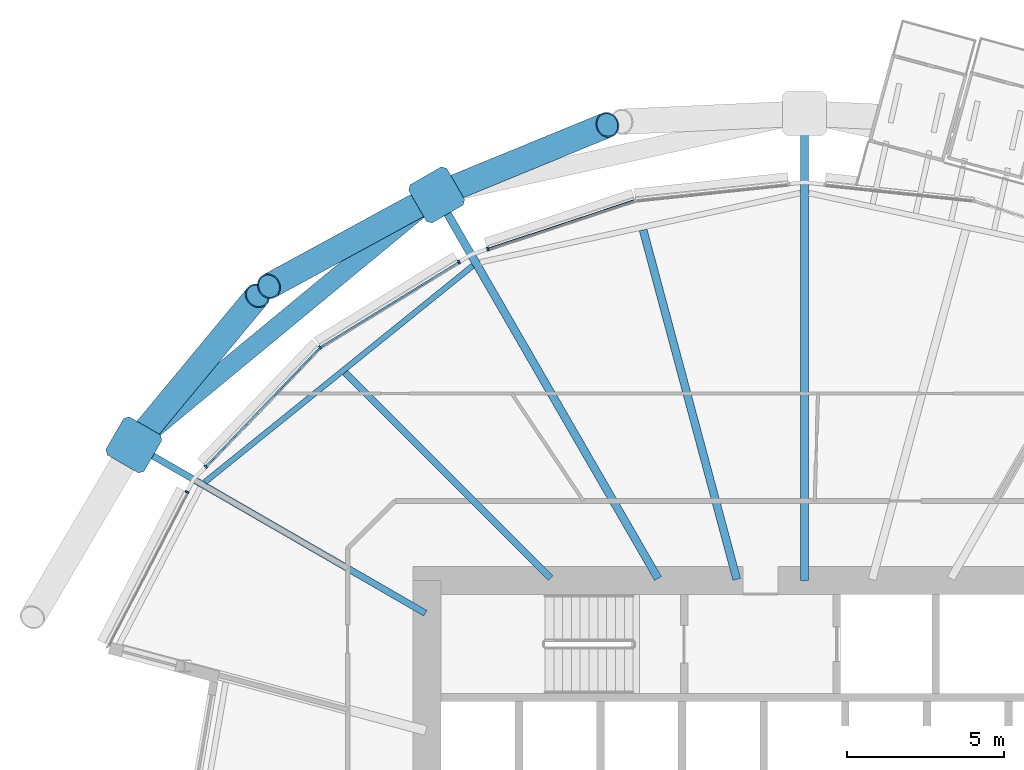
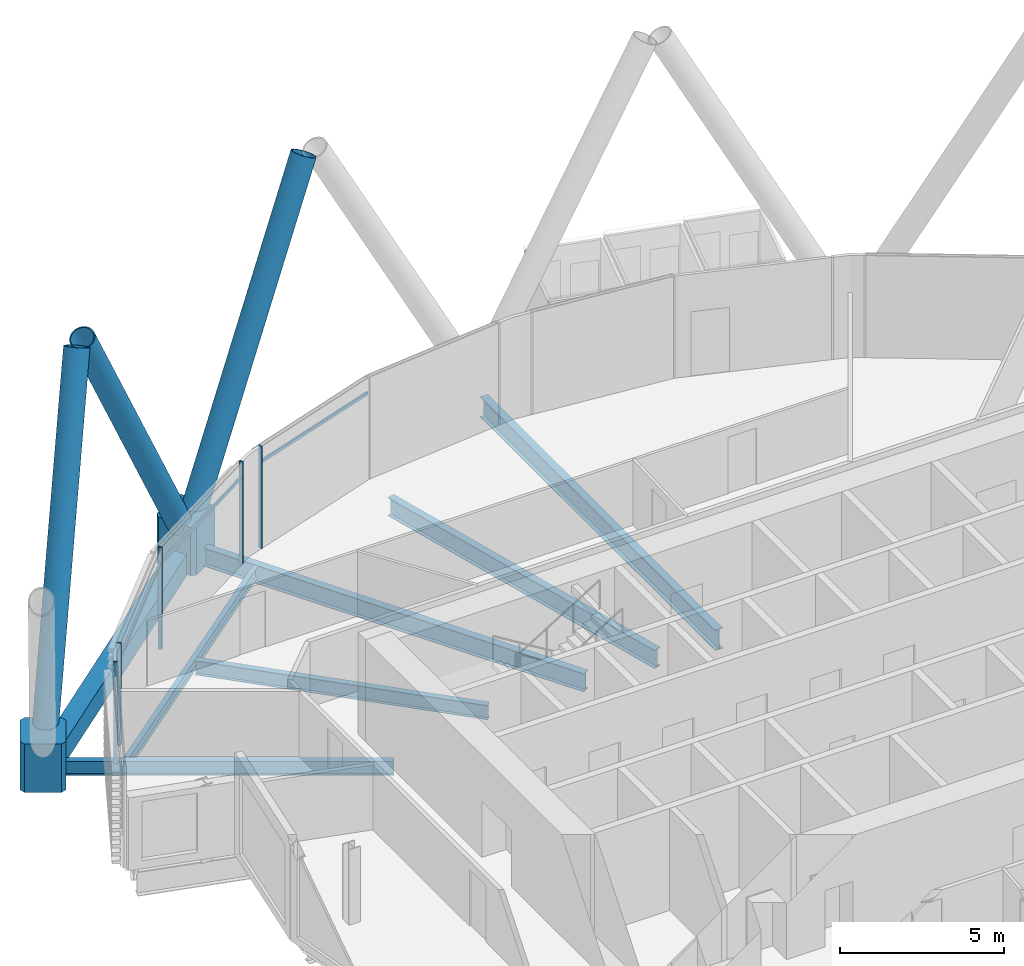
# One storey, part 11 of 40: 13 members, 7 beams, 1 element without a shape of its own.
"""IFC4 building model written with IfcOpenShell, lengths in metres."""

from ifc_helpers import new_model, si_unit, direction, frame, origin, origin_2d, place, context, subcontext, project, spatial, polyline, rectangle, hollow_rectangle, hollow_circle, i_section, outline, extrude, material, material_profile, profile_set, type_object, element, aggregate, save


model = new_model("IFC4")

# Units and contexts
model_context = context("Model", 3, precision=1e-05, world=origin(), true_north=direction((0.0, 1.0)))
body_context = subcontext(model_context, "Body", "Model", "MODEL_VIEW")
ifc_project = project(units=[si_unit("LENGTHUNIT", "METRE"), si_unit("AREAUNIT", "SQUARE_METRE"), si_unit("VOLUMEUNIT", "CUBIC_METRE"), si_unit("PLANEANGLEUNIT", "RADIAN"), si_unit("MASSUNIT", "GRAM", prefix="KILO")], contexts=[model_context])

# Site, building, storey
site_placement = place(None, origin())
site = spatial("IfcSite", under=ifc_project, at=site_placement, CompositionType="ELEMENT")
building_placement = place(site_placement, origin())
building = spatial("IfcBuilding", under=site, at=building_placement, Name="Rimbun Link Towers", CompositionType="ELEMENT")
storey_placement = place(building_placement, frame((0.0, 0.0, 52.800048828125)))
storey = spatial("IfcBuildingStorey", under=building, at=storey_placement, Name="L12", CompositionType="ELEMENT", Elevation=52.800048828125)

# Curtain wall, members
ifc_material_1 = material(Name="Aluminium 6063-T6 and low-iron glass", Category="aluminium")
curtain_wall_type = type_object("IfcCurtainWallType", Name="CW1 unitised vision wall", PredefinedType="NOTDEFINED", material=ifc_material_1)
curtain_wall_placement = place(storey_placement, origin())
curtain_wall = element("IfcCurtainWall", 1, at=curtain_wall_placement, inside=storey, type_object=curtain_wall_type, Name="CW1 L12 T1", PredefinedType="NOTDEFINED")
ifc_material_2 = material(Name="Aluminium 6063-T6", Category="aluminium")
ifc_material_profile_1 = material_profile(ifc_material_2, rectangle(XDim=0.1201171875, YDim=0.06005859375, at=origin_2d()), Name="MULLION 60X120")
ifc_profile_set_1 = profile_set([ifc_material_profile_1], Name="Aluminium 6063-T6")
member_type_1 = type_object("IfcMemberType", Name="CW1 mullion 60X120", PredefinedType="MULLION", material=ifc_profile_set_1)
member_1_placement = place(storey_placement, frame((-41.81787109375, 18.53955078125, 0.0), z_axis=(0.0, 0.0, 1.0), x_axis=(-0.314563424855, 0.949236457235, 0.0)))
member_1 = element("IfcMember", 2, at=member_1_placement, type_object=member_type_1, Name="CW1 mullion", PredefinedType="MULLION", context=body_context, shape_type="SweptSolid", body=[
    extrude(rectangle(XDim=0.1201171875, YDim=0.06005859375, at=origin_2d()), origin(), (0.0, 0.0, 1.0), 3.800048828125),
])
member_2_placement = place(storey_placement, frame((-47.1533203125, 15.412353515625, 0.0), z_axis=(0.0, 0.0, 1.0), x_axis=(-0.627665729285, 0.778482968524, 0.0)))
member_2 = element("IfcMember", 3, at=member_2_placement, type_object=member_type_1, Name="CW1 mullion", PredefinedType="MULLION", context=body_context, shape_type="SweptSolid", body=[
    extrude(rectangle(XDim=0.1201171875, YDim=0.06005859375, at=origin_2d()), origin(), (0.0, 0.0, 1.0), 3.800048828125),
])
member_3_placement = place(storey_placement, frame((-42.73583984375, 18.125244140625, 0.0), z_axis=(0.0, 0.0, 1.0), x_axis=(-0.523243332621, 0.852183322336, 0.0)))
member_3 = element("IfcMember", 4, at=member_3_placement, type_object=member_type_1, Name="CW1 mullion", PredefinedType="MULLION", context=body_context, shape_type="SweptSolid", body=[
    extrude(rectangle(XDim=0.1201171875, YDim=0.06005859375, at=origin_2d()), origin(), (0.0, 0.0, 1.0), 3.800048828125),
])
member_4_placement = place(storey_placement, frame((-50.7861328125, 11.623779296875, 0.0), z_axis=(0.0, 0.0, 1.0), x_axis=(-0.721834717261, 0.692065488922, 0.0)))
member_4 = element("IfcMember", 5, at=member_4_placement, type_object=member_type_1, Name="CW1 mullion", PredefinedType="MULLION", context=body_context, shape_type="SweptSolid", body=[
    extrude(rectangle(XDim=0.1201171875, YDim=0.06005859375, at=origin_2d()), origin(), (0.0, 0.0, 1.0), 3.800048828125),
])
member_5_placement = place(storey_placement, frame((-51.383544921875, 10.813232421875, 0.0), z_axis=(0.0, 0.0, 1.0), x_axis=(-0.888156623203, 0.459540871589, 0.0)))
member_5 = element("IfcMember", 6, at=member_5_placement, type_object=member_type_1, Name="CW1 mullion", PredefinedType="MULLION", context=body_context, shape_type="SweptSolid", body=[
    extrude(rectangle(XDim=0.1201171875, YDim=0.06005859375, at=origin_2d()), origin(), (0.0, 0.0, 1.0), 3.800048828125),
])
ifc_material_3 = material(Name="Aluminium 6063-T6", Category="aluminium")
ifc_material_profile_2 = material_profile(ifc_material_3, rectangle(XDim=0.06005859375, YDim=0.1201171875, at=origin_2d()), Name="TRANSOM 60X120")
ifc_profile_set_2 = profile_set([ifc_material_profile_2], Name="Aluminium 6063-T6")
member_type_2 = type_object("IfcMemberType", Name="CW1 transom 60X120", PredefinedType="USERDEFINED", material=ifc_profile_set_2)
member_6_placement = place(storey_placement, frame((-41.78857421875, 18.547119140625, 3.199951171875), z_axis=(0.949238170968, 0.314558253392, 0.0), x_axis=(-0.314558253392, 0.949238170968, 0.0)))
member_6 = element("IfcMember", 7, at=member_6_placement, type_object=member_type_2, Name="CW1 transom", ObjectType="TRANSOM", PredefinedType="USERDEFINED", context=body_context, shape_type="SweptSolid", body=[
    extrude(rectangle(XDim=0.06005859375, YDim=0.1201171875, at=origin_2d()), origin(), (0.0, 0.0, 1.0), 4.87109375),
])
member_7_placement = place(storey_placement, frame((-47.120361328125, 15.4306640625, 3.199951171875), z_axis=(0.85218055836, 0.52324783416, 0.0), x_axis=(-0.52324783416, 0.85218055836, 0.0)))
member_7 = element("IfcMember", 8, at=member_7_placement, type_object=member_type_2, Name="CW1 transom", ObjectType="TRANSOM", PredefinedType="USERDEFINED", context=body_context, shape_type="SweptSolid", body=[
    extrude(rectangle(XDim=0.06005859375, YDim=0.1201171875, at=origin_2d()), origin(), (0.0, 0.0, 1.0), 5.1162109375),
])
member_8_placement = place(storey_placement, frame((-50.763916015625, 11.64404296875, 3.199951171875), z_axis=(0.692059885815, 0.721840089249, 0.0), x_axis=(-0.721840089249, 0.692059885815, 0.0)))
member_8 = element("IfcMember", 9, at=member_8_placement, type_object=member_type_2, Name="CW1 transom", ObjectType="TRANSOM", PredefinedType="USERDEFINED", context=body_context, shape_type="SweptSolid", body=[
    extrude(rectangle(XDim=0.06005859375, YDim=0.1201171875, at=origin_2d()), origin(), (0.0, 0.0, 1.0), 5.18115234375),
])
aggregate(curtain_wall, [member_1, member_2, member_3, member_4, member_5, member_6, member_7, member_8])

# Members
ifc_material_4 = material(Name="Steel S460NH", Category="steel")
ifc_material_profile_3 = material_profile(ifc_material_4, hollow_circle(Radius=0.406494140625, WallThickness=0.0400390625, at=origin_2d()), Name="Diagrid diagonal CHS 813x40")
ifc_profile_set_3 = profile_set([ifc_material_profile_3], Name="Steel S460NH")
member_type_3 = type_object("IfcMemberType", Name="Diagrid diagonal CHS 813x40", PredefinedType="BRACE", material=ifc_profile_set_3)
member_9_placement = place(storey_placement, frame((-43.2275390625, 20.34765625, 0.440673828125), z_axis=(0.436685293391, 0.179147169469, 0.881596419121), x_axis=(-0.379545890298, 0.925172912032, 0.0)))
element("IfcMember", 10, at=member_9_placement, inside=storey, type_object=member_type_3, Name="Diagrid diagonal T1 L12-L15 08a", PredefinedType="BRACE", context=body_context, shape_type="SweptSolid", body=[
    extrude(hollow_circle(Radius=0.406494140625, WallThickness=0.0400390625, at=origin_2d()), origin(), (0.0, 0.0, 1.0), 11.93115234375),
])
member_10_placement = place(storey_placement, frame((-43.65869140625, 20.14208984375, 0.437255859375), z_axis=(-0.425340572748, -0.231705088723, 0.874870361273), x_axis=(0.478376519541, -0.878154830057, 0.0)))
element("IfcMember", 11, at=member_10_placement, inside=storey, type_object=member_type_3, Name="Diagrid diagonal T1 L12-L15 08b", PredefinedType="BRACE", context=body_context, shape_type="SweptSolid", body=[
    extrude(hollow_circle(Radius=0.406494140625, WallThickness=0.0400390625, at=origin_2d()), origin(), (0.0, 0.0, 1.0), 12.03076171875),
])
member_11_placement = place(storey_placement, frame((-52.915771484375, 12.498779296875, 0.43603515625), z_axis=(0.312336279633, 0.376963157123, 0.871977537897), x_axis=(-0.770026199312, 0.638012266633, 0.0)))
element("IfcMember", 12, at=member_11_placement, inside=storey, type_object=member_type_3, Name="Diagrid diagonal T1 L12-L15 10a", PredefinedType="BRACE", context=body_context, shape_type="SweptSolid", body=[
    extrude(hollow_circle(Radius=0.406494140625, WallThickness=0.0400390625, at=origin_2d()), origin(), (0.0, 0.0, 1.0), 12.073486328125),
])
ifc_material_5 = material(Name="Cast steel G20Mn5+QT, Rp0.2 300 MPa", Category="steel")
ifc_material_profile_4 = material_profile(ifc_material_5, outline(polyline([(0.699951171875, -0.570068359375), (0.699951171875, 0.570068359375), (0.570068359375, 0.699951171875), (-0.570068359375, 0.699951171875), (-0.699951171875, 0.570068359375), (-0.699951171875, -0.570068359375), (-0.570068359375, -0.699951171875), (0.570068359375, -0.699951171875), (0.699951171875, -0.570068359375)])), Name="NODE 1400x1400")
ifc_profile_set_4 = profile_set([ifc_material_profile_4], Name="Cast steel G20Mn5+QT, Rp0.2 300 MPa")
member_type_4 = type_object("IfcMemberType", Name="Diagrid node cast 1400", PredefinedType="USERDEFINED", material=ifc_profile_set_4)
for number, where, z_axis, x_axis, name in (
    (13, (-43.446044921875, 20.258056640625, -0.900146484375), (0.0, 0.0, 1.0), (-0.5, 0.866025403784, 0.0), "Diagrid node L12 08"),
    (14, (-53.072021484375, 12.310302734375, -0.900146484375), (0.0, 0.0, 1.0), (-0.866025403784, 0.5, 0.0), "Diagrid node L12 10"),
):
    element("IfcMember", number, at=place(storey_placement, frame(where, z_axis=z_axis, x_axis=x_axis)), inside=storey, type_object=member_type_4, Name=name, ObjectType="Diagrid node", PredefinedType="USERDEFINED", context=body_context, shape_type="SweptSolid", body=[
        extrude(outline(polyline([(0.699951171875, -0.570068359375), (0.699951171875, 0.570068359375), (0.570068359375, 0.699951171875), (-0.570068359375, 0.699951171875), (-0.699951171875, 0.570068359375), (-0.699951171875, -0.570068359375), (-0.570068359375, -0.699951171875), (0.570068359375, -0.699951171875), (0.699951171875, -0.570068359375)])), origin(), (0.0, 0.0, 1.0), 1.800048828125),
    ])

# Beams
ifc_material_6 = material(Name="Steel S355J2", Category="steel")
ifc_material_profile_5 = material_profile(ifc_material_6, hollow_rectangle(XDim=0.60009765625, YDim=0.800048828125, WallThickness=0.0400390625, at=origin_2d()), Name="Exoskeleton ring girder BOX 600x800x40")
ifc_profile_set_5 = profile_set([ifc_material_profile_5], Name="Steel S355J2")
beam_type_1 = type_object("IfcBeamType", Name="Exoskeleton ring girder BOX 600x800x40", PredefinedType="BEAM", material=ifc_profile_set_5)
beam_1_placement = place(storey_placement, frame((-43.98583984375, 19.8125, -0.56005859375), z_axis=(-0.771123969027, -0.636685027618, 0.0), x_axis=(0.636685027618, -0.771123969027, 0.0)))
element("IfcBeam", 15, at=beam_1_placement, inside=storey, type_object=beam_type_1, Name="Exoskeleton ring girder L12 04", PredefinedType="BEAM", context=body_context, shape_type="SweptSolid", body=[
    extrude(hollow_rectangle(XDim=0.60009765625, YDim=0.800048828125, WallThickness=0.0400390625, at=origin_2d()), origin(), (0.0, 0.0, 1.0), 11.0830078125),
])
ifc_material_7 = material(Name="Steel S355J2", Category="steel")
ifc_material_profile_6 = material_profile(ifc_material_7, i_section(OverallWidth=0.177978515625, OverallDepth=0.406494140625, WebThickness=0.0078125, FlangeThickness=0.0126953125, at=origin_2d()), Name="UB 406x178x60")
ifc_profile_set_6 = profile_set([ifc_material_profile_6], Name="Steel S355J2")
beam_type_2 = type_object("IfcBeamType", Name="UB 406x178x60", PredefinedType="BEAM", material=ifc_profile_set_6)
beam_2_placement = place(storey_placement, frame((-42.2939453125, 18.007080078125, -0.36328125), z_axis=(-0.777984774136, -0.628283129817, 0.0), x_axis=(0.628283129817, -0.777984774136, 0.0)))
element("IfcBeam", 16, at=beam_2_placement, inside=storey, type_object=beam_type_2, Name="Edge beam T1 L12 08-10", PredefinedType="BEAM", context=body_context, shape_type="SweptSolid", body=[
    extrude(i_section(OverallWidth=0.177978515625, OverallDepth=0.406494140625, WebThickness=0.0078125, FlangeThickness=0.0126953125, at=origin_2d()), origin(), (0.0, 0.0, 1.0), 10.949462890625),
])
ifc_material_8 = material(Name="Steel S355J2", Category="steel")
ifc_material_profile_7 = material_profile(ifc_material_8, i_section(OverallWidth=0.209228515625, OverallDepth=0.533203125, WebThickness=0.010009765625, FlangeThickness=0.015625, at=origin_2d()), Name="UB 533x210x92")
ifc_profile_set_7 = profile_set([ifc_material_profile_7], Name="Steel S355J2")
beam_type_3 = type_object("IfcBeamType", Name="UB 533x210x92", PredefinedType="BEAM", material=ifc_profile_set_7)
beam_3_placement = place(storey_placement, frame((-39.82470703125, 8.07470703125, -0.4267578125), z_axis=(-0.707106781187, 0.707106781187, 0.0), x_axis=(-0.707106781187, -0.707106781187, 0.0)))
element("IfcBeam", 17, at=beam_3_placement, inside=storey, type_object=beam_type_3, Name="Radial beam T1 L12 09", PredefinedType="BEAM", context=body_context, shape_type="SweptSolid", body=[
    extrude(i_section(OverallWidth=0.209228515625, OverallDepth=0.533203125, WebThickness=0.010009765625, FlangeThickness=0.015625, at=origin_2d()), origin(), (0.0, 0.0, 1.0), 9.24072265625),
])
beam_4_placement = place(storey_placement, frame((-43.80322265625, 6.958984375, -0.4267578125), z_axis=(-0.866024197602, 0.500002089163, 0.0), x_axis=(-0.500002089163, -0.866024197602, 0.0)))
element("IfcBeam", 18, at=beam_4_placement, inside=storey, type_object=beam_type_3, Name="Radial beam T1 L12 10", PredefinedType="BEAM", context=body_context, shape_type="SweptSolid", body=[
    extrude(i_section(OverallWidth=0.209228515625, OverallDepth=0.533203125, WebThickness=0.010009765625, FlangeThickness=0.015625, at=origin_2d()), origin(), (0.0, 0.0, 1.0), 10.20263671875),
])
ifc_material_9 = material(Name="Steel S355J2", Category="steel")
ifc_material_profile_8 = material_profile(ifc_material_9, i_section(OverallWidth=0.253662109375, OverallDepth=0.68359375, WebThickness=0.012451171875, FlangeThickness=0.01904296875, at=origin_2d()), Name="UB 686x254x140")
ifc_profile_set_8 = profile_set([ifc_material_profile_8], Name="Steel S355J2")
beam_type_4 = type_object("IfcBeamType", Name="UB 686x254x140", PredefinedType="BEAM", material=ifc_profile_set_8)
beam_5_placement = place(storey_placement, frame((-33.902587890625, 8.03369140625, -0.501708984375), z_axis=(-0.258819531339, 0.965925696002, 0.0), x_axis=(-0.965925696002, -0.258819531339, 0.0)))
element("IfcBeam", 19, at=beam_5_placement, inside=storey, type_object=beam_type_4, Name="Radial beam T1 L12 07", PredefinedType="BEAM", context=body_context, shape_type="SweptSolid", body=[
    extrude(i_section(OverallWidth=0.253662109375, OverallDepth=0.68359375, WebThickness=0.012451171875, FlangeThickness=0.01904296875, at=origin_2d()), origin(), (0.0, 0.0, 1.0), 11.50439453125),
])
beam_6_placement = place(storey_placement, frame((-36.406005859375, 8.064208984375, -0.501708984375), z_axis=(-0.499990635695, 0.866030810201, 0.0), x_axis=(-0.866030810201, -0.499990635695, 0.0)))
element("IfcBeam", 20, at=beam_6_placement, inside=storey, type_object=beam_type_4, Name="Radial beam T1 L12 08", PredefinedType="BEAM", context=body_context, shape_type="SweptSolid", body=[
    extrude(i_section(OverallWidth=0.253662109375, OverallDepth=0.68359375, WebThickness=0.012451171875, FlangeThickness=0.01904296875, at=origin_2d()), origin(), (0.0, 0.0, 1.0), 13.580322265625),
])
ifc_material_10 = material(Name="Steel S355J2", Category="steel")
ifc_material_profile_9 = material_profile(ifc_material_10, i_section(OverallWidth=0.2666015625, OverallDepth=0.76220703125, WebThickness=0.014404296875, FlangeThickness=0.021484375, at=origin_2d()), Name="UB 762x267x173")
ifc_profile_set_9 = profile_set([ifc_material_profile_9], Name="Steel S355J2")
beam_type_5 = type_object("IfcBeamType", Name="UB 762x267x173", PredefinedType="BEAM", material=ifc_profile_set_9)
beam_7_placement = place(storey_placement, frame((-31.75, 8.0009765625, -0.541259765625), z_axis=(0.0, 1.0, 0.0), x_axis=(-1.0, 0.0, 0.0)))
element("IfcBeam", 21, at=beam_7_placement, inside=storey, type_object=beam_type_5, Name="Radial beam T1 L12 06", PredefinedType="BEAM", context=body_context, shape_type="SweptSolid", body=[
    extrude(i_section(OverallWidth=0.2666015625, OverallDepth=0.76220703125, WebThickness=0.014404296875, FlangeThickness=0.021484375, at=origin_2d()), origin(), (0.0, 0.0, 1.0), 14.34814453125),
])

save(model, "model.ifc")
